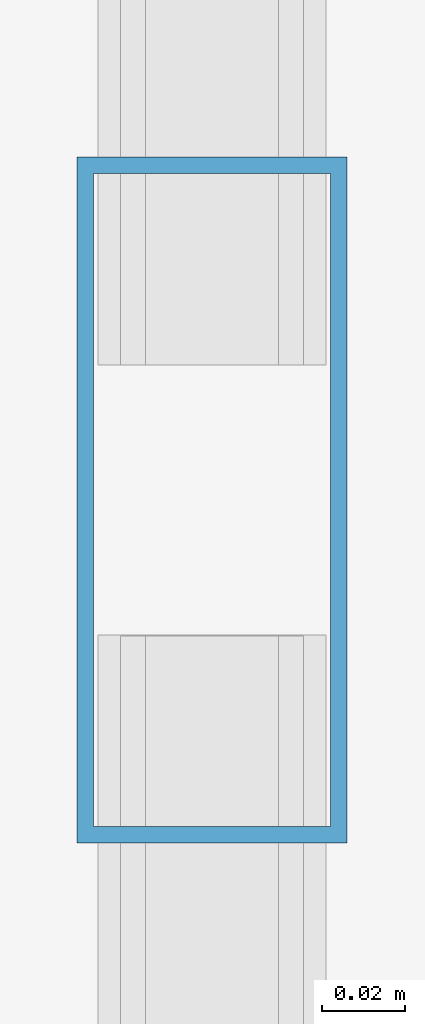
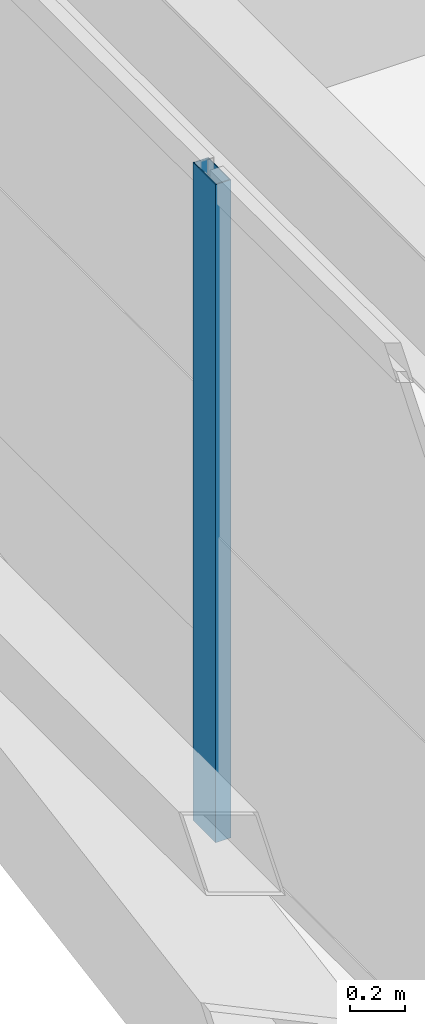
# One storey, part 16 of 59: 1 member, 1 element without a shape of its own.
"""IFC4 building model written with IfcOpenShell, lengths in metres."""

import ifcopenshell
import ifcopenshell.guid

model = None  # the IFC model being written
_history = None  # IfcOwnerHistory: only IFC2X3 demands one
_inside = {}  # id of a spatial element -> (the spatial element, [elements in it])
_under = {}  # id of a project, library or spatial element -> (it, [spatial elements below it])
_declared = {}  # id of a project -> (the project, [libraries it declares])
_typed = {}  # id of a type object -> (the type object, [elements of that type])
_made_of = {}  # id of a material, layer set ... -> (it, [elements and type objects made of it])


def new_model(schema):
    """Start an empty IFC model of exactly this schema.

    Asked for "IFC4X3", IfcOpenShell would pick the latest addendum, in which some entities
    have other attributes; the version numbers below select the first issue.
    IFC2X3 requires an IfcOwnerHistory on every rooted entity: one is made here for all.
    """
    global model, _history
    if schema == "IFC4X3":
        model = ifcopenshell.file(schema_version=(4, 3, 0, 0))
    else:
        model = ifcopenshell.file(schema=schema)
    _inside.clear()
    _under.clear()
    _declared.clear()
    _typed.clear()
    _made_of.clear()
    _history = None
    if model.schema == "IFC2X3":
        org = make("IfcOrganization", Name="unknown")
        user = make(
            "IfcPersonAndOrganization",
            ThePerson=make("IfcPerson", FamilyName="unknown"),
            TheOrganization=org,
        )
        app = make(
            "IfcApplication",
            ApplicationDeveloper=org,
            Version="unknown",
            ApplicationFullName="unknown",
            ApplicationIdentifier="unknown",
        )
        _history = make(
            "IfcOwnerHistory",
            OwningUser=user,
            OwningApplication=app,
            ChangeAction="ADDED",
            CreationDate=0,
        )
    return model


def make(cls, **values):
    """One entity of the class cls with the attributes given. An attribute that is None is left unset."""
    return model.create_entity(
        cls, **{name: value for name, value in values.items() if value is not None}
    )


def rooted(cls, **values):
    """An entity with a GlobalId (a new one), such as an element, a storey or a relation."""
    return make(cls, GlobalId=ifcopenshell.guid.new(), OwnerHistory=_history, **values)


def si_unit(unit_type, name, prefix=None):
    """IfcSIUnit, for example si_unit("LENGTHUNIT", "METRE", prefix="MILLI")."""
    return make("IfcSIUnit", UnitType=unit_type, Prefix=prefix, Name=name)


def assignment(units):
    """IfcUnitAssignment: the units of a project."""
    return None if units is None else make("IfcUnitAssignment", Units=units)


def point(xyz):
    """IfcCartesianPoint."""
    return None if xyz is None else make("IfcCartesianPoint", Coordinates=xyz)


def direction(xyz):
    """IfcDirection."""
    return None if xyz is None else make("IfcDirection", DirectionRatios=xyz)


def frame(location, z_axis=None, x_axis=None):
    """IfcAxis2Placement3D, a coordinate frame: its origin and axes. An axis left out is left unset."""
    return make(
        "IfcAxis2Placement3D",
        Location=point(location),
        Axis=direction(z_axis),
        RefDirection=direction(x_axis),
    )


def frame_2d(location, x_axis=None):
    """IfcAxis2Placement2D, a coordinate frame in the plane: its origin and x axis."""
    return make(
        "IfcAxis2Placement2D", Location=point(location), RefDirection=direction(x_axis)
    )


def origin():
    """The frame at (0, 0, 0) with its axes left unset."""
    return frame((0.0, 0.0, 0.0))


def origin_2d():
    """The frame at (0, 0) in the plane with its x axis left unset."""
    return frame_2d((0.0, 0.0))


def place(relative_to, where):
    """IfcLocalPlacement: puts the frame where relative to a parent placement (None: the world)."""
    return make(
        "IfcLocalPlacement", PlacementRelTo=relative_to, RelativePlacement=where
    )


def context(
    kind, dimensions, precision=None, world=None, true_north=None, identifier=None
):
    """IfcGeometricRepresentationContext, for example the 3D "Model" context."""
    return make(
        "IfcGeometricRepresentationContext",
        ContextIdentifier=identifier,
        ContextType=kind,
        CoordinateSpaceDimension=dimensions,
        Precision=precision,
        WorldCoordinateSystem=world,
        TrueNorth=true_north,
    )


def subcontext(parent, identifier, kind, view, scale=None):
    """IfcGeometricRepresentationSubContext, for example "Body" below "Model"."""
    return make(
        "IfcGeometricRepresentationSubContext",
        ContextIdentifier=identifier,
        ContextType=kind,
        ParentContext=parent,
        TargetScale=scale,
        TargetView=view,
    )


def project(units=None, contexts=None):
    """IfcProject with its units and contexts."""
    return rooted(
        "IfcProject",
        Name="project",
        RepresentationContexts=contexts,
        UnitsInContext=assignment(units),
    )


def spatial(cls, under=None, at=None, **own):
    """A site, building, storey or space (cls), placed at a placement, below another one or the project."""
    s = rooted(cls, ObjectPlacement=at, **own)
    if under is not None:
        _under.setdefault(under.id(), (under, []))[1].append(s)
    return s


def profile(cls, at=None, kind="AREA", **sizes):
    """A parametric profile (cls). Its sizes go by their IFC names, for example OverallWidth=200.0."""
    return make(cls, ProfileType=kind, Position=at, **sizes)


def hollow_rectangle(**sizes):
    """IfcRectangleHollowProfileDef."""
    return profile("IfcRectangleHollowProfileDef", **sizes)


def extrude(swept, where, along, depth):
    """IfcExtrudedAreaSolid: the profile swept, set in the frame where, extruded along a direction by depth."""
    return make(
        "IfcExtrudedAreaSolid",
        SweptArea=swept,
        Position=where,
        ExtrudedDirection=direction(along),
        Depth=depth,
    )


def shape(context_of_items, identifier, shape_type, items):
    """IfcShapeRepresentation: the items that make up one representation, for example the "Body"."""
    return make(
        "IfcShapeRepresentation",
        ContextOfItems=context_of_items,
        RepresentationIdentifier=identifier,
        RepresentationType=shape_type,
        Items=items,
    )


def source(mapping_origin, context_of_items, identifier, shape_type, items):
    """IfcRepresentationMap: a shape defined once, which mapped items show again and again."""
    return make(
        "IfcRepresentationMap",
        MappingOrigin=mapping_origin,
        MappedRepresentation=shape(context_of_items, identifier, shape_type, items),
    )


def transform(
    local_origin,
    x_axis=None,
    y_axis=None,
    z_axis=None,
    scale=None,
    scale2=None,
    scale3=None,
    uniform=True,
):
    """IfcCartesianTransformationOperator3D, or its non-uniform kind. x_axis, y_axis, z_axis: its Axis1, 2, 3."""
    if uniform:
        return make(
            "IfcCartesianTransformationOperator3D",
            Axis1=direction(x_axis),
            Axis2=direction(y_axis),
            LocalOrigin=point(local_origin),
            Scale=scale,
            Axis3=direction(z_axis),
        )
    return make(
        "IfcCartesianTransformationOperator3DnonUniform",
        Axis1=direction(x_axis),
        Axis2=direction(y_axis),
        LocalOrigin=point(local_origin),
        Scale=scale,
        Axis3=direction(z_axis),
        Scale2=scale2,
        Scale3=scale3,
    )


def mapped(mapping_source, mapping_target):
    """IfcMappedItem: shows the shape of a source again, moved by a transform."""
    return make(
        "IfcMappedItem", MappingSource=mapping_source, MappingTarget=mapping_target
    )


def material(Name=None, Category=None):
    """IfcMaterial."""
    return make("IfcMaterial", Name=Name, Category=Category)


def layer(
    of_material, thickness, ventilated=None, Name=None, Category=None, Priority=None
):
    """IfcMaterialLayer: one layer of a wall or slab, of a material (None: an air gap)."""
    return make(
        "IfcMaterialLayer",
        Material=of_material,
        LayerThickness=thickness,
        IsVentilated=ventilated,
        Name=Name,
        Category=Category,
        Priority=Priority,
    )


def layer_set(layers, Name=None):
    """IfcMaterialLayerSet."""
    return make("IfcMaterialLayerSet", MaterialLayers=layers, LayerSetName=Name)


def material_profile(
    of_material, cross_section, Name=None, Category=None, Priority=None
):
    """IfcMaterialProfile: a cross section and its material."""
    return make(
        "IfcMaterialProfile",
        Name=Name,
        Material=of_material,
        Profile=cross_section,
        Priority=Priority,
        Category=Category,
    )


def profile_set(profiles, Name=None, composite=None):
    """IfcMaterialProfileSet."""
    return make(
        "IfcMaterialProfileSet",
        Name=Name,
        MaterialProfiles=profiles,
        CompositeProfile=composite,
    )


def made_of(thing, what):
    """Note that an element or type object is made of a material, layer set ...; save() writes the relation."""
    if what is not None:
        _made_of.setdefault(what.id(), (what, []))[1].append(thing)
    return thing


def type_object(cls, material=None, **own):
    """A type object (cls), such as IfcWallType, which elements share."""
    return made_of(rooted(cls, **own), material)


def element(
    cls,
    number,
    at=None,
    inside=None,
    cuts=None,
    type_object=None,
    material=None,
    context=None,
    identifier="Body",
    shape_type=None,
    held_by="IfcProductDefinitionShape",
    body=None,
    shapes=None,
    **own,
):
    """One element of the class cls, such as IfcWall. Its Tag is "e" and its number.

    at: its placement. inside: the storey or other place that contains it. cuts: it is an
    opening in that element (IfcRelVoidsElement). A single representation is given by context,
    identifier, shape_type and body (its items); several are given by shapes. held_by: the class
    of the entity that holds the representations. save() writes the other relations.
    """
    e = rooted(cls, Tag="e%d" % number, ObjectPlacement=at, **own)
    if body is not None:
        shapes = [shape(context, identifier, shape_type, body)]
    if shapes is not None:
        e.Representation = make(held_by, Representations=shapes)
    if inside is not None:
        _inside.setdefault(inside.id(), (inside, []))[1].append(e)
    if cuts is not None:
        rooted(
            "IfcRelVoidsElement", RelatingBuildingElement=cuts, RelatedOpeningElement=e
        )
    if type_object is not None:
        _typed.setdefault(type_object.id(), (type_object, []))[1].append(e)
    return made_of(e, material)


def aggregate(whole, parts):
    """IfcRelAggregates: a whole, such as a stair, and the parts it consists of."""
    return rooted("IfcRelAggregates", RelatingObject=whole, RelatedObjects=parts)


def save(model, path):
    """Write the relations noted so far, then the file.

    IfcRelAggregates (storeys below a building ...), IfcRelContainedInSpatialStructure (elements
    in a storey), IfcRelDefinesByType, IfcRelAssociatesMaterial and IfcRelDeclares: one each for
    every whole, place, type object, material and project.
    """
    for whole, parts in _under.values():
        aggregate(whole, parts)
    for where, things in _inside.values():
        rooted(
            "IfcRelContainedInSpatialStructure",
            RelatedElements=things,
            RelatingStructure=where,
        )
    for kind, things in _typed.values():
        rooted("IfcRelDefinesByType", RelatedObjects=things, RelatingType=kind)
    for what, things in _made_of.values():
        rooted("IfcRelAssociatesMaterial", RelatedObjects=things, RelatingMaterial=what)
    for by, libraries in _declared.values():
        rooted("IfcRelDeclares", RelatingContext=by, RelatedDefinitions=libraries)
    model.write(path)


model = new_model("IFC4")

# Units and contexts
model_context = context("Model", 3, precision=1e-05, world=origin(), true_north=direction((0.0, 1.0)))
body_context = subcontext(model_context, "Body", "Model", "MODEL_VIEW")
ifc_project = project(units=[si_unit("LENGTHUNIT", "METRE"), si_unit("AREAUNIT", "SQUARE_METRE"), si_unit("VOLUMEUNIT", "CUBIC_METRE"), si_unit("PLANEANGLEUNIT", "RADIAN"), si_unit("MASSUNIT", "GRAM", prefix="KILO")], contexts=[model_context])

# Site, building, storey
site_placement = place(None, origin())
site = spatial("IfcSite", under=ifc_project, at=site_placement, CompositionType="ELEMENT")
building_placement = place(site_placement, origin())
building = spatial("IfcBuilding", under=site, at=building_placement, Name="Taldren Reach Tower", CompositionType="ELEMENT")
storey_placement = place(building_placement, frame((0.0, 0.0, 45.14990234375)))
storey = spatial("IfcBuildingStorey", under=building, at=storey_placement, Name="L13", CompositionType="ELEMENT", Elevation=45.14990234375)

# Curtain wall, member
ifc_material_1 = material(Name="Aluminium and Low-E Glass Unitised System", Category="aluminium")
ifc_layer = layer(ifc_material_1, 0.159912109375)
ifc_layer_set = layer_set([ifc_layer], Name="Aluminium and Low-E Glass Unitised System")
curtain_wall_type = type_object("IfcCurtainWallType", Name="CW-SYS-2", PredefinedType="NOTDEFINED", material=ifc_layer_set)
curtain_wall_placement = place(storey_placement, origin())
curtain_wall = element("IfcCurtainWall", 1, at=curtain_wall_placement, inside=storey, type_object=curtain_wall_type, Name="Unitised curtain wall CW-L13-W", PredefinedType="NOTDEFINED")
ifc_material_2 = material(Name="Anodised Aluminium 6063-T6", Category="aluminium")
ifc_material_profile = material_profile(ifc_material_2, hollow_rectangle(XDim=0.06494140625, YDim=0.1650390625, WallThickness=0.00390625, at=origin_2d()), Name="ALU-165x65x4RHS")
ifc_profile_set = profile_set([ifc_material_profile], Name="Anodised Aluminium 6063-T6")
member_type = type_object("IfcMemberType", Name="CW-MUL-165", PredefinedType="MULLION", material=ifc_profile_set)
shared_shape = source(origin(), body_context, "Body", "SweptSolid", [
    extrude(hollow_rectangle(XDim=0.06494140625, YDim=0.1650390625, WallThickness=0.00390625, at=origin_2d()), origin(), (0.0, 0.0, 1.0), 2.93017578125),
])
member_placement = place(storey_placement, frame((5.139892578125, 25.166748046875, 0.0), z_axis=(0.0, 0.0, 1.0), x_axis=(1.0, 0.0, 0.0)))
member = element("IfcMember", 2, at=member_placement, type_object=member_type, Name="CW-2 mullion 4", PredefinedType="MULLION", context=body_context, shape_type="MappedRepresentation", body=[
    mapped(shared_shape, transform((0.0, 0.0, 0.0), scale=1.0)),
])
aggregate(curtain_wall, [member])

save(model, "model.ifc")
